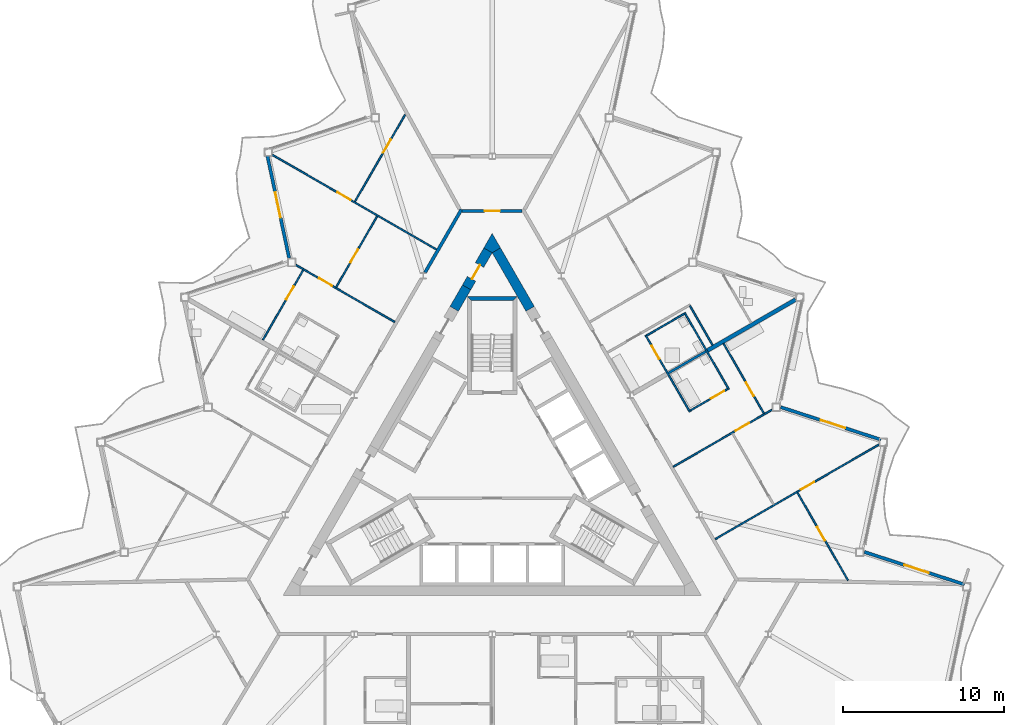
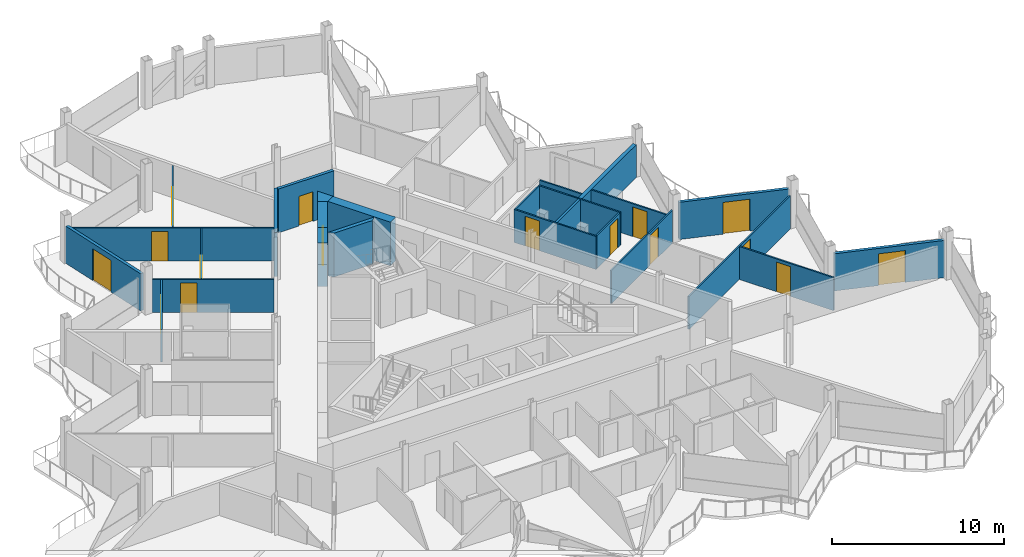
# One storey, part 16 of 25: 26 walls, 16 doors, 16 openings.
"""IFC4 building model written with IfcOpenShell, lengths in metres."""

from ifc_helpers import new_model, si_unit, direction, frame, frame_2d, origin, place, context, subcontext, project, spatial, polyline, rectangle, outline, extrude, material, layer, layer_set, type_object, element, fill, save


model = new_model("IFC4")

# Units and contexts
model_context = context("Model", 3, precision=1e-05, world=origin(), true_north=direction((0.0, 1.0)))
body_context = subcontext(model_context, "Body", "Model", "MODEL_VIEW")
ifc_project = project(units=[si_unit("LENGTHUNIT", "METRE"), si_unit("AREAUNIT", "SQUARE_METRE"), si_unit("VOLUMEUNIT", "CUBIC_METRE"), si_unit("PLANEANGLEUNIT", "RADIAN"), si_unit("MASSUNIT", "GRAM", prefix="KILO")], contexts=[model_context])

# Site, building, storey
site_placement = place(None, origin())
site = spatial("IfcSite", under=ifc_project, at=site_placement, CompositionType="ELEMENT")
building_placement = place(site_placement, origin())
building = spatial("IfcBuilding", under=site, at=building_placement, Name="Cormorant Prow Tower", CompositionType="ELEMENT")
storey_placement = place(building_placement, frame((0.0, 0.0, 391.60009765625)))
storey = spatial("IfcBuildingStorey", under=building, at=storey_placement, Name="L89", CompositionType="ELEMENT", Elevation=391.60009765625)

# Walls
ifc_material_1 = material(Name="Concrete 8000 psi", Category="concrete")
ifc_layer_1 = layer(ifc_material_1, 0.60009765625)
ifc_layer_set_1 = layer_set([ifc_layer_1], Name="Concrete 8000 psi")
wall_type_1 = type_object("IfcWallType", Name="Core shear wall 600", PredefinedType="SHEAR", material=ifc_layer_set_1)
wall_1_placement = place(storey_placement, frame((2.36083984375, 10.322021484375, 0.0), z_axis=(0.0, 0.0, 1.0), x_axis=(-0.500000735859, 0.866024978935, 0.0)))
element("IfcWall", 1, at=wall_1_placement, inside=storey, type_object=wall_type_1, Name="Core wall", PredefinedType="SHEAR", context=body_context, shape_type="SweptSolid", body=[
    extrude(rectangle(XDim=4.2021484375, YDim=0.60009765625, at=frame_2d((2.10107421875, 0.0))), origin(), (0.0, 0.0, 1.0), 3.099853515625),
])
wall_2_placement = place(storey_placement, frame((-1.589599609375, 11.65771484375, 0.0), z_axis=(0.0, 0.0, 1.0), x_axis=(-0.500037594623, -0.866003697431, 0.0)))
element("IfcWall", 2, at=wall_2_placement, inside=storey, type_object=wall_type_1, Name="Core wall", PredefinedType="SHEAR", context=body_context, shape_type="SweptSolid", body=[
    extrude(rectangle(XDim=1.54248046875, YDim=0.60009765625, at=frame_2d((0.771240234375, 0.0))), origin(), (0.0, 0.0, 1.0), 3.099853515625),
])
wall_3_placement = place(storey_placement, origin())
element("IfcWall", 3, at=wall_3_placement, inside=storey, type_object=wall_type_1, Name="Core wall corner", PredefinedType="SHEAR", context=body_context, shape_type="SweptSolid", body=[
    extrude(outline(polyline([(0.0, 13.81103515625), (-0.51953125, 14.111083984375), (0.0, 15.010986328125), (0.51953125, 14.111083984375), (0.0, 13.81103515625)])), origin(), (0.0, 0.0, 1.0), 3.099853515625),
])

# Wall, opening, door
wall_4_placement = place(storey_placement, frame((-0.259765625, 13.961181640625, 0.0), z_axis=(0.0, 0.0, 1.0), x_axis=(-0.49997936161, -0.866037319036, 0.0)))
wall_4 = element("IfcWall", 4, at=wall_4_placement, inside=storey, type_object=wall_type_1, Name="Core wall door panel", PredefinedType="SHEAR", context=body_context, shape_type="SweptSolid", body=[
    extrude(rectangle(XDim=2.65966796875, YDim=0.60009765625, at=frame_2d((1.329833984375, 0.0))), origin(), (0.0, 0.0, 1.0), 3.099853515625),
])
opening_1_placement = place(wall_4_placement, frame((1.050048828125, 0.0, 0.0)))
opening_1 = element("IfcOpeningElement", 5, at=opening_1_placement, cuts=wall_4, Name="Opening L89-C19", PredefinedType="OPENING", context=body_context, shape_type="SweptSolid", body=[
    extrude(rectangle(XDim=1.0, YDim=2.10009765625, at=frame_2d((0.5, 1.050048828125))), frame((0.0, 0.31005859375, 0.0), z_axis=(0.0, -1.0, 0.0), x_axis=(1.0, 0.0, 0.0)), (0.0, 0.0, 1.0), 0.6201171875),
])
ifc_material_2 = material(Name="Painted steel", Category="steel")
door_type_1 = type_object("IfcDoorType", Name="Service door 1000x2100", OperationType="NOTDEFINED", PredefinedType="DOOR", material=ifc_material_2)
door_1_placement = place(opening_1_placement, origin())
door_1 = element("IfcDoor", 6, at=door_1_placement, inside=storey, type_object=door_type_1, Name="Core door, Mechanical riser room", OperationType="SINGLE_SWING_RIGHT", OverallHeight=2.10009765625, OverallWidth=1.0, PredefinedType="DOOR", context=body_context, shape_type="SweptSolid", body=[
    extrude(rectangle(XDim=1.0, YDim=2.10009765625, at=frame_2d((0.5, 1.050048828125))), frame((0.0, 0.05517578125, 0.0), z_axis=(0.0, -1.0, 0.0), x_axis=(1.0, 0.0, 0.0)), (0.0, 0.0, 1.0), 0.050048828125),
])
fill(opening_1, door_1)

# Wall
ifc_material_3 = material(Name="Gypsum board corridor wall")
ifc_layer_2 = layer(ifc_material_3, 0.199951171875)
ifc_layer_set_2 = layer_set([ifc_layer_2], Name="Gypsum board corridor wall")
wall_type_2 = type_object("IfcWallType", Name="Corridor wall 200", PredefinedType="PARTITIONING", material=ifc_layer_set_2)
wall_5_placement = place(storey_placement, frame((-4.175537109375, 12.578857421875, 0.0), z_axis=(0.0, 0.0, 1.0), x_axis=(0.499974648164, 0.866040040179, 0.0)))
element("IfcWall", 7, at=wall_5_placement, inside=storey, type_object=wall_type_2, Name="Corridor wall", PredefinedType="PARTITIONING", context=body_context, shape_type="SweptSolid", body=[
    extrude(rectangle(XDim=4.525146484375, YDim=0.199951171875, at=frame_2d((2.2626953125, 0.0))), origin(), (0.0, 0.0, 1.0), 3.099853515625),
])

# Wall, opening, door
wall_6_placement = place(storey_placement, frame((-1.863037109375, 16.4111328125, 0.0), z_axis=(0.0, 0.0, 1.0), x_axis=(1.0, 0.0, 0.0)))
wall_6 = element("IfcWall", 8, at=wall_6_placement, inside=storey, type_object=wall_type_2, Name="Corridor wall", PredefinedType="PARTITIONING", context=body_context, shape_type="SweptSolid", body=[
    extrude(rectangle(XDim=3.72607421875, YDim=0.199951171875, at=frame_2d((1.863037109375, 0.0))), origin(), (0.0, 0.0, 1.0), 3.099853515625),
])
opening_2_placement = place(wall_6_placement, frame((1.387939453125, 0.0, 0.0)))
opening_2 = element("IfcOpeningElement", 9, at=opening_2_placement, cuts=wall_6, Name="Opening L89-F33", PredefinedType="OPENING", context=body_context, shape_type="SweptSolid", body=[
    extrude(rectangle(XDim=0.949951171875, YDim=2.10009765625, at=frame_2d((0.47509765625, 1.050048828125))), frame((0.0, 0.10986328125, 0.0), z_axis=(0.0, -1.0, 0.0), x_axis=(1.0, 0.0, 0.0)), (0.0, 0.0, 1.0), 0.219970703125),
])
ifc_material_4 = material(Name="Timber door leaf", Category="wood")
door_type_2 = type_object("IfcDoorType", Name="Store door 950x2100", OperationType="NOTDEFINED", PredefinedType="DOOR", material=ifc_material_4)
door_2_placement = place(opening_2_placement, origin())
door_2 = element("IfcDoor", 10, at=door_2_placement, inside=storey, type_object=door_type_2, Name="Bicycle store door", OperationType="SINGLE_SWING_LEFT", OverallHeight=2.10009765625, OverallWidth=0.949951171875, PredefinedType="DOOR", context=body_context, shape_type="SweptSolid", body=[
    extrude(rectangle(XDim=0.949951171875, YDim=2.10009765625, at=frame_2d((0.47509765625, 1.050048828125))), frame((0.0, 0.02490234375, 0.0), z_axis=(0.0, -1.0, 0.0), x_axis=(1.0, 0.0, 0.0)), (0.0, 0.0, 1.0), 0.050048828125),
])
fill(opening_2, door_2)

ifc_material_5 = material(Name="Gypsum board partition")
ifc_layer_3 = layer(ifc_material_5, 0.10009765625)
ifc_layer_set_3 = layer_set([ifc_layer_3], Name="Gypsum board partition")
wall_type_3 = type_object("IfcWallType", Name="Internal partition 100", PredefinedType="PARTITIONING", material=ifc_layer_set_3)
wall_7_placement = place(storey_placement, frame((-13.668701171875, 19.900390625, 0.0), z_axis=(0.0, 0.0, 1.0), x_axis=(0.866032376801, -0.499987922186, 0.0)))
wall_7 = element("IfcWall", 11, at=wall_7_placement, inside=storey, type_object=wall_type_3, Name="Internal partition", PredefinedType="PARTITIONING", context=body_context, shape_type="SweptSolid", body=[
    extrude(rectangle(XDim=11.781982421875, YDim=0.10009765625, at=frame_2d((5.89111328125, 0.0))), origin(), (0.0, 0.0, 1.0), 2.330078125),
])
opening_3_placement = place(wall_7_placement, frame((4.66357421875, 0.0, 0.0)))
opening_3 = element("IfcOpeningElement", 12, at=opening_3_placement, cuts=wall_7, Name="Opening L89-F40", PredefinedType="OPENING", context=body_context, shape_type="SweptSolid", body=[
    extrude(rectangle(XDim=0.949951171875, YDim=2.10009765625, at=frame_2d((0.47509765625, 1.050048828125))), frame((0.0, 0.06005859375, 0.0), z_axis=(0.0, -1.0, 0.0), x_axis=(1.0, 0.0, 0.0)), (0.0, 0.0, 1.0), 0.1201171875),
])
ifc_material_6 = material(Name="Timber door leaf", Category="wood")
door_type_3 = type_object("IfcDoorType", Name="Bathroom door 950x2100", OperationType="NOTDEFINED", PredefinedType="DOOR", material=ifc_material_6)
door_3_placement = place(opening_3_placement, origin())
door_3 = element("IfcDoor", 13, at=door_3_placement, inside=storey, type_object=door_type_3, Name="Bedroom door", OperationType="SINGLE_SWING_RIGHT", OverallHeight=2.10009765625, OverallWidth=0.949951171875, PredefinedType="DOOR", context=body_context, shape_type="SweptSolid", body=[
    extrude(rectangle(XDim=0.949951171875, YDim=2.10009765625, at=frame_2d((0.47509765625, 1.050048828125))), frame((0.0, 0.02490234375, 0.0), z_axis=(0.0, -1.0, 0.0), x_axis=(1.0, 0.0, 0.0)), (0.0, 0.0, 1.0), 0.050048828125),
])
fill(opening_3, door_3)

wall_8_placement = place(storey_placement, frame((13.864990234375, -4.00390625, 0.0), z_axis=(0.0, 0.0, 1.0), x_axis=(0.866023404247, 0.500003463284, 0.0)))
wall_8 = element("IfcWall", 14, at=wall_8_placement, inside=storey, type_object=wall_type_3, Name="Internal partition", PredefinedType="PARTITIONING", context=body_context, shape_type="SweptSolid", body=[
    extrude(rectangle(XDim=11.7822265625, YDim=0.10009765625, at=frame_2d((5.89111328125, 0.0))), origin(), (0.0, 0.0, 1.0), 2.330078125),
])
opening_4_placement = place(wall_8_placement, frame((6.16845703125, 0.0, 0.0)))
opening_4 = element("IfcOpeningElement", 15, at=opening_4_placement, cuts=wall_8, Name="Opening L89-F23", PredefinedType="OPENING", context=body_context, shape_type="SweptSolid", body=[
    extrude(rectangle(XDim=0.949951171875, YDim=2.10009765625, at=frame_2d((0.47509765625, 1.050048828125))), frame((0.0, 0.06005859375, 0.0), z_axis=(0.0, -1.0, 0.0), x_axis=(1.0, 0.0, 0.0)), (0.0, 0.0, 1.0), 0.1201171875),
])
door_4_placement = place(opening_4_placement, origin())
door_4 = element("IfcDoor", 16, at=door_4_placement, inside=storey, type_object=door_type_3, Name="Bedroom door", OperationType="SINGLE_SWING_LEFT", OverallHeight=2.10009765625, OverallWidth=0.949951171875, PredefinedType="DOOR", context=body_context, shape_type="SweptSolid", body=[
    extrude(rectangle(XDim=0.949951171875, YDim=2.10009765625, at=frame_2d((0.47509765625, 1.050048828125))), frame((0.0, 0.02490234375, 0.0), z_axis=(0.0, -1.0, 0.0), x_axis=(1.0, 0.0, 0.0)), (0.0, 0.0, 1.0), 0.050048828125),
])
fill(opening_4, door_4)

wall_9_placement = place(storey_placement, frame((-12.2138671875, 13.05615234375, 0.0), z_axis=(0.0, 0.0, 1.0), x_axis=(0.866018949465, -0.500011179042, 0.0)))
wall_9 = element("IfcWall", 17, at=wall_9_placement, inside=storey, type_object=wall_type_3, Name="Internal partition", PredefinedType="PARTITIONING", context=body_context, shape_type="SweptSolid", body=[
    extrude(rectangle(XDim=7.099853515625, YDim=0.10009765625, at=frame_2d((3.5498046875, 0.0))), origin(), (0.0, 0.0, 1.0), 2.330078125),
])
opening_5_placement = place(wall_9_placement, frame((1.66259765625, 0.0, 0.0)))
opening_5 = element("IfcOpeningElement", 18, at=opening_5_placement, cuts=wall_9, Name="Opening L89-F38", PredefinedType="OPENING", context=body_context, shape_type="SweptSolid", body=[
    extrude(rectangle(XDim=0.949951171875, YDim=2.10009765625, at=frame_2d((0.47509765625, 1.050048828125))), frame((0.0, 0.06005859375, 0.0), z_axis=(0.0, -1.0, 0.0), x_axis=(1.0, 0.0, 0.0)), (0.0, 0.0, 1.0), 0.1201171875),
])
door_5_placement = place(opening_5_placement, origin())
door_5 = element("IfcDoor", 19, at=door_5_placement, inside=storey, type_object=door_type_3, Name="Living room door", OperationType="SINGLE_SWING_RIGHT", OverallHeight=2.10009765625, OverallWidth=0.949951171875, PredefinedType="DOOR", context=body_context, shape_type="SweptSolid", body=[
    extrude(rectangle(XDim=0.949951171875, YDim=2.10009765625, at=frame_2d((0.47509765625, 1.050048828125))), frame((0.0, 0.02490234375, 0.0), z_axis=(0.0, -1.0, 0.0), x_axis=(1.0, 0.0, 0.0)), (0.0, 0.0, 1.0), 0.050048828125),
])
fill(opening_5, door_5)

wall_10_placement = place(storey_placement, frame((11.26513671875, 0.49951171875, 0.0), z_axis=(0.0, 0.0, 1.0), x_axis=(0.866033839264, 0.499985389037, 0.0)))
wall_10 = element("IfcWall", 20, at=wall_10_placement, inside=storey, type_object=wall_type_3, Name="Internal partition", PredefinedType="PARTITIONING", context=body_context, shape_type="SweptSolid", body=[
    extrude(rectangle(XDim=7.099853515625, YDim=0.10009765625, at=frame_2d((3.5498046875, 0.0))), origin(), (0.0, 0.0, 1.0), 2.330078125),
])
opening_6_placement = place(wall_10_placement, frame((4.487548828125, 0.0, 0.0)))
opening_6 = element("IfcOpeningElement", 21, at=opening_6_placement, cuts=wall_10, Name="Opening L89-F21", PredefinedType="OPENING", context=body_context, shape_type="SweptSolid", body=[
    extrude(rectangle(XDim=0.949951171875, YDim=2.10009765625, at=frame_2d((0.47509765625, 1.050048828125))), frame((0.0, 0.06005859375, 0.0), z_axis=(0.0, -1.0, 0.0), x_axis=(1.0, 0.0, 0.0)), (0.0, 0.0, 1.0), 0.1201171875),
])
door_6_placement = place(opening_6_placement, origin())
door_6 = element("IfcDoor", 22, at=door_6_placement, inside=storey, type_object=door_type_3, Name="Living room door", OperationType="SINGLE_SWING_LEFT", OverallHeight=2.10009765625, OverallWidth=0.949951171875, PredefinedType="DOOR", context=body_context, shape_type="SweptSolid", body=[
    extrude(rectangle(XDim=0.949951171875, YDim=2.10009765625, at=frame_2d((0.47509765625, 1.050048828125))), frame((0.0, 0.02490234375, 0.0), z_axis=(0.0, -1.0, 0.0), x_axis=(1.0, 0.0, 0.0)), (0.0, 0.0, 1.0), 0.050048828125),
])
fill(opening_6, door_6)

wall_11_placement = place(storey_placement, frame((18.9833984375, -1.106689453125, 0.0), z_axis=(0.0, 0.0, 1.0), x_axis=(0.500016298831, -0.866015993445, 0.0)))
wall_11 = element("IfcWall", 23, at=wall_11_placement, inside=storey, type_object=wall_type_3, Name="Internal partition", PredefinedType="PARTITIONING", context=body_context, shape_type="SweptSolid", body=[
    extrude(rectangle(XDim=6.304931640625, YDim=0.10009765625, at=frame_2d((3.15234375, 0.0))), origin(), (0.0, 0.0, 1.0), 2.330078125),
])
opening_7_placement = place(wall_11_placement, frame((2.475341796875, 0.0, 0.0)))
opening_7 = element("IfcOpeningElement", 24, at=opening_7_placement, cuts=wall_11, Name="Opening L89-F24", PredefinedType="OPENING", context=body_context, shape_type="SweptSolid", body=[
    extrude(rectangle(XDim=0.949951171875, YDim=2.10009765625, at=frame_2d((0.47509765625, 1.050048828125))), frame((0.0, 0.06005859375, 0.0), z_axis=(0.0, -1.0, 0.0), x_axis=(1.0, 0.0, 0.0)), (0.0, 0.0, 1.0), 0.1201171875),
])
door_7_placement = place(opening_7_placement, origin())
door_7 = element("IfcDoor", 25, at=door_7_placement, inside=storey, type_object=door_type_3, Name="Bedroom door", OperationType="SINGLE_SWING_LEFT", OverallHeight=2.10009765625, OverallWidth=0.949951171875, PredefinedType="DOOR", context=body_context, shape_type="SweptSolid", body=[
    extrude(rectangle(XDim=0.949951171875, YDim=2.10009765625, at=frame_2d((0.47509765625, 1.050048828125))), frame((0.0, 0.02490234375, 0.0), z_axis=(0.0, -1.0, 0.0), x_axis=(1.0, 0.0, 0.0)), (0.0, 0.0, 1.0), 0.050048828125),
])
fill(opening_7, door_7)

wall_12_placement = place(storey_placement, frame((-8.534912109375, 16.994384765625, 0.0), z_axis=(0.0, 0.0, 1.0), x_axis=(0.499975529996, 0.866039531087, 0.0)))
wall_12 = element("IfcWall", 26, at=wall_12_placement, inside=storey, type_object=wall_type_3, Name="Internal partition", PredefinedType="PARTITIONING", context=body_context, shape_type="SweptSolid", body=[
    extrude(rectangle(XDim=6.235107421875, YDim=0.10009765625, at=frame_2d((3.11767578125, 0.0))), origin(), (0.0, 0.0, 1.0), 2.330078125),
])
opening_8_placement = place(wall_12_placement, frame((3.508056640625, 0.0, 0.0)))
opening_8 = element("IfcOpeningElement", 27, at=opening_8_placement, cuts=wall_12, Name="Opening L89-F41", PredefinedType="OPENING", context=body_context, shape_type="SweptSolid", body=[
    extrude(rectangle(XDim=0.949951171875, YDim=2.10009765625, at=frame_2d((0.47509765625, 1.050048828125))), frame((0.0, 0.06005859375, 0.0), z_axis=(0.0, -1.0, 0.0), x_axis=(1.0, 0.0, 0.0)), (0.0, 0.0, 1.0), 0.1201171875),
])
door_8_placement = place(opening_8_placement, origin())
door_8 = element("IfcDoor", 28, at=door_8_placement, inside=storey, type_object=door_type_3, Name="Bedroom door", OperationType="SINGLE_SWING_RIGHT", OverallHeight=2.10009765625, OverallWidth=0.949951171875, PredefinedType="DOOR", context=body_context, shape_type="SweptSolid", body=[
    extrude(rectangle(XDim=0.949951171875, YDim=2.10009765625, at=frame_2d((0.47509765625, 1.050048828125))), frame((0.0, 0.02490234375, 0.0), z_axis=(0.0, -1.0, 0.0), x_axis=(1.0, 0.0, 0.0)), (0.0, 0.0, 1.0), 0.050048828125),
])
fill(opening_8, door_8)

# Wall
wall_13_placement = place(storey_placement, frame((11.966552734375, 10.084228515625, 0.0), z_axis=(0.0, 0.0, 1.0), x_axis=(0.500015767406, -0.866016300277, 0.0)))
element("IfcWall", 29, at=wall_13_placement, inside=storey, type_object=wall_type_3, Name="Internal partition", PredefinedType="PARTITIONING", context=body_context, shape_type="SweptSolid", body=[
    extrude(rectangle(XDim=5.499755859375, YDim=0.10009765625, at=frame_2d((2.75, 0.0))), origin(), (0.0, 0.0, 1.0), 2.330078125),
])

# Wall, opening, door
wall_14_placement = place(storey_placement, frame((9.541748046875, 8.684326171875, 0.0), z_axis=(0.0, 0.0, 1.0), x_axis=(0.499996545922, -0.866027397988, 0.0)))
wall_14 = element("IfcWall", 30, at=wall_14_placement, inside=storey, type_object=wall_type_3, Name="Internal partition", PredefinedType="PARTITIONING", context=body_context, shape_type="SweptSolid", body=[
    extrude(rectangle(XDim=5.5, YDim=0.10009765625, at=frame_2d((2.75, 0.0))), origin(), (0.0, 0.0, 1.0), 2.330078125),
])
opening_9_placement = place(wall_14_placement, frame((0.75634765625, 0.0, 0.0)))
opening_9 = element("IfcOpeningElement", 31, at=opening_9_placement, cuts=wall_14, Name="Opening L89-F32", PredefinedType="OPENING", context=body_context, shape_type="SweptSolid", body=[
    extrude(rectangle(XDim=0.949951171875, YDim=2.10009765625, at=frame_2d((0.47509765625, 1.050048828125))), frame((0.0, 0.06005859375, 0.0), z_axis=(0.0, -1.0, 0.0), x_axis=(1.0, 0.0, 0.0)), (0.0, 0.0, 1.0), 0.1201171875),
])
door_9_placement = place(opening_9_placement, origin())
door_9 = element("IfcDoor", 32, at=door_9_placement, inside=storey, type_object=door_type_3, Name="Kitchen door", OperationType="SINGLE_SWING_LEFT", OverallHeight=2.10009765625, OverallWidth=0.949951171875, PredefinedType="DOOR", context=body_context, shape_type="SweptSolid", body=[
    extrude(rectangle(XDim=0.949951171875, YDim=2.10009765625, at=frame_2d((0.47509765625, 1.050048828125))), frame((0.0, 0.02490234375, 0.0), z_axis=(0.0, -1.0, 0.0), x_axis=(1.0, 0.0, 0.0)), (0.0, 0.0, 1.0), 0.050048828125),
])
fill(opening_9, door_9)

wall_15_placement = place(storey_placement, frame((14.390380859375, 8.163818359375, 0.0), z_axis=(0.0, 0.0, 1.0), x_axis=(0.499990214365, -0.86603105345, 0.0)))
wall_15 = element("IfcWall", 33, at=wall_15_placement, inside=storey, type_object=wall_type_3, Name="Internal partition", PredefinedType="PARTITIONING", context=body_context, shape_type="SweptSolid", body=[
    extrude(rectangle(XDim=5.02490234375, YDim=0.10009765625, at=frame_2d((2.512451171875, 0.0))), origin(), (0.0, 0.0, 1.0), 2.330078125),
])
opening_10_placement = place(wall_15_placement, frame((2.803466796875, 0.0, 0.0)))
opening_10 = element("IfcOpeningElement", 34, at=opening_10_placement, cuts=wall_15, Name="Opening L89-F20", PredefinedType="OPENING", context=body_context, shape_type="SweptSolid", body=[
    extrude(rectangle(XDim=0.949951171875, YDim=2.10009765625, at=frame_2d((0.47509765625, 1.050048828125))), frame((0.0, 0.06005859375, 0.0), z_axis=(0.0, -1.0, 0.0), x_axis=(1.0, 0.0, 0.0)), (0.0, 0.0, 1.0), 0.1201171875),
])
door_10_placement = place(opening_10_placement, origin())
door_10 = element("IfcDoor", 35, at=door_10_placement, inside=storey, type_object=door_type_3, Name="Living room door", OperationType="SINGLE_SWING_RIGHT", OverallHeight=2.10009765625, OverallWidth=0.949951171875, PredefinedType="DOOR", context=body_context, shape_type="SweptSolid", body=[
    extrude(rectangle(XDim=0.949951171875, YDim=2.10009765625, at=frame_2d((0.47509765625, 1.050048828125))), frame((0.0, 0.02490234375, 0.0), z_axis=(0.0, -1.0, 0.0), x_axis=(1.0, 0.0, 0.0)), (0.0, 0.0, 1.0), 0.050048828125),
])
fill(opening_10, door_10)

wall_16_placement = place(storey_placement, frame((-9.704345703125, 11.664794921875, 0.0), z_axis=(0.0, 0.0, 1.0), x_axis=(0.499984882974, 0.866034131428, 0.0)))
wall_16 = element("IfcWall", 36, at=wall_16_placement, inside=storey, type_object=wall_type_3, Name="Internal partition", PredefinedType="PARTITIONING", context=body_context, shape_type="SweptSolid", body=[
    extrude(rectangle(XDim=5.100341796875, YDim=0.10009765625, at=frame_2d((2.55029296875, 0.0))), origin(), (0.0, 0.0, 1.0), 2.330078125),
])
opening_11_placement = place(wall_16_placement, frame((1.770751953125, 0.0, 0.0)))
opening_11 = element("IfcOpeningElement", 37, at=opening_11_placement, cuts=wall_16, Name="Opening L89-F39", PredefinedType="OPENING", context=body_context, shape_type="SweptSolid", body=[
    extrude(rectangle(XDim=0.949951171875, YDim=2.10009765625, at=frame_2d((0.47509765625, 1.050048828125))), frame((0.0, 0.06005859375, 0.0), z_axis=(0.0, -1.0, 0.0), x_axis=(1.0, 0.0, 0.0)), (0.0, 0.0, 1.0), 0.1201171875),
])
door_11_placement = place(opening_11_placement, origin())
door_11 = element("IfcDoor", 38, at=door_11_placement, inside=storey, type_object=door_type_3, Name="Bedroom door", OperationType="SINGLE_SWING_LEFT", OverallHeight=2.10009765625, OverallWidth=0.949951171875, PredefinedType="DOOR", context=body_context, shape_type="SweptSolid", body=[
    extrude(rectangle(XDim=0.949951171875, YDim=2.10009765625, at=frame_2d((0.47509765625, 1.050048828125))), frame((0.0, 0.02490234375, 0.0), z_axis=(0.0, -1.0, 0.0), x_axis=(1.0, 0.0, 0.0)), (0.0, 0.0, 1.0), 0.050048828125),
])
fill(opening_11, door_11)

wall_17_placement = place(storey_placement, frame((-14.265380859375, 8.38037109375, 0.0), z_axis=(0.0, 0.0, 1.0), x_axis=(0.500026652407, 0.866010015463, 0.0)))
wall_17 = element("IfcWall", 39, at=wall_17_placement, inside=storey, type_object=wall_type_3, Name="Internal partition", PredefinedType="PARTITIONING", context=body_context, shape_type="SweptSolid", body=[
    extrude(rectangle(XDim=5.025146484375, YDim=0.10009765625, at=frame_2d((2.5126953125, 0.0))), origin(), (0.0, 0.0, 1.0), 2.330078125),
])
opening_12_placement = place(wall_17_placement, frame((2.90576171875, 0.0, 0.0)))
opening_12 = element("IfcOpeningElement", 40, at=opening_12_placement, cuts=wall_17, Name="Opening L89-F37", PredefinedType="OPENING", context=body_context, shape_type="SweptSolid", body=[
    extrude(rectangle(XDim=0.949951171875, YDim=2.10009765625, at=frame_2d((0.47509765625, 1.050048828125))), frame((0.0, 0.06005859375, 0.0), z_axis=(0.0, -1.0, 0.0), x_axis=(1.0, 0.0, 0.0)), (0.0, 0.0, 1.0), 0.1201171875),
])
door_12_placement = place(opening_12_placement, origin())
door_12 = element("IfcDoor", 41, at=door_12_placement, inside=storey, type_object=door_type_3, Name="Living room door", OperationType="SINGLE_SWING_RIGHT", OverallHeight=2.10009765625, OverallWidth=0.949951171875, PredefinedType="DOOR", context=body_context, shape_type="SweptSolid", body=[
    extrude(rectangle(XDim=0.949951171875, YDim=2.10009765625, at=frame_2d((0.47509765625, 1.050048828125))), frame((0.0, 0.02490234375, 0.0), z_axis=(0.0, -1.0, 0.0), x_axis=(1.0, 0.0, 0.0)), (0.0, 0.0, 1.0), 0.050048828125),
])
fill(opening_12, door_12)

# Walls
wall_18_placement = place(storey_placement, frame((12.299560546875, 10.507568359375, 0.0), z_axis=(0.0, 0.0, 1.0), x_axis=(0.500024172624, -0.866011447264, 0.0)))
element("IfcWall", 42, at=wall_18_placement, inside=storey, type_object=wall_type_3, Name="Internal partition", PredefinedType="PARTITIONING", context=body_context, shape_type="SweptSolid", body=[
    extrude(rectangle(XDim=2.824951171875, YDim=0.10009765625, at=frame_2d((1.41259765625, 0.0))), origin(), (0.0, 0.0, 1.0), 2.330078125),
])
wall_19_placement = place(storey_placement, frame((9.610107421875, 8.666015625, 0.0), z_axis=(0.0, 0.0, 1.0), x_axis=(0.86599734893, 0.500048589285, 0.0)))
element("IfcWall", 43, at=wall_19_placement, inside=storey, type_object=wall_type_3, Name="Internal partition", PredefinedType="PARTITIONING", context=body_context, shape_type="SweptSolid", body=[
    extrude(rectangle(XDim=2.699951171875, YDim=0.10009765625, at=frame_2d((1.35009765625, 0.0))), origin(), (0.0, 0.0, 1.0), 2.330078125),
])

# Wall, opening, door
wall_20_placement = place(storey_placement, frame((12.31005859375, 3.989501953125, 0.0), z_axis=(0.0, 0.0, 1.0), x_axis=(0.86599734893, 0.500048589285, 0.0)))
wall_20 = element("IfcWall", 44, at=wall_20_placement, inside=storey, type_object=wall_type_3, Name="Internal partition", PredefinedType="PARTITIONING", context=body_context, shape_type="SweptSolid", body=[
    extrude(rectangle(XDim=2.699951171875, YDim=0.10009765625, at=frame_2d((1.35009765625, 0.0))), origin(), (0.0, 0.0, 1.0), 2.330078125),
])
opening_13_placement = place(wall_20_placement, frame((1.5, 0.0, 0.0)))
opening_13 = element("IfcOpeningElement", 45, at=opening_13_placement, cuts=wall_20, Name="Opening L89-F19", PredefinedType="OPENING", context=body_context, shape_type="SweptSolid", body=[
    extrude(rectangle(XDim=0.949951171875, YDim=2.10009765625, at=frame_2d((0.47509765625, 1.050048828125))), frame((0.0, 0.06005859375, 0.0), z_axis=(0.0, -1.0, 0.0), x_axis=(1.0, 0.0, 0.0)), (0.0, 0.0, 1.0), 0.1201171875),
])
door_13_placement = place(opening_13_placement, origin())
door_13 = element("IfcDoor", 46, at=door_13_placement, inside=storey, type_object=door_type_3, Name="Living room door", OperationType="SINGLE_SWING_RIGHT", OverallHeight=2.10009765625, OverallWidth=0.949951171875, PredefinedType="DOOR", context=body_context, shape_type="SweptSolid", body=[
    extrude(rectangle(XDim=0.949951171875, YDim=2.10009765625, at=frame_2d((0.47509765625, 1.050048828125))), frame((0.0, 0.02490234375, 0.0), z_axis=(0.0, -1.0, 0.0), x_axis=(1.0, 0.0, 0.0)), (0.0, 0.0, 1.0), 0.050048828125),
])
fill(opening_13, door_13)

# Walls
ifc_material_7 = material(Name="Concrete 8000 psi", Category="concrete")
ifc_layer_4 = layer(ifc_material_7, 0.25)
ifc_layer_set_4 = layer_set([ifc_layer_4], Name="Concrete 8000 psi")
wall_type_4 = type_object("IfcWallType", Name="Stair wall 250", PredefinedType="SHEAR", material=ifc_layer_set_4)
wall_21_placement = place(storey_placement, origin())
element("IfcWall", 47, at=wall_21_placement, inside=storey, type_object=wall_type_4, Name="Stair ST3 enclosure wall (end)", PredefinedType="SHEAR", context=body_context, shape_type="SweptSolid", body=[
    extrude(outline(polyline([(1.5439453125, 11.0869140625), (-1.5439453125, 11.0869140625), (-1.2939453125, 10.8369140625), (1.2939453125, 10.8369140625), (1.5439453125, 11.0869140625)])), origin(), (0.0, 0.0, 1.0), 3.099853515625),
])
ifc_material_8 = material(Name="Acoustic gypsum party wall")
ifc_layer_5 = layer(ifc_material_8, 0.25)
ifc_layer_set_5 = layer_set([ifc_layer_5], Name="Acoustic gypsum party wall")
wall_type_5 = type_object("IfcWallType", Name="Suite party wall 250", PredefinedType="PARTITIONING", material=ifc_layer_set_5)
wall_22_placement = place(storey_placement, frame((13.385009765625, 7.727783203125, 0.0), z_axis=(0.0, 0.0, 1.0), x_axis=(0.866023139795, 0.500003921324, 0.0)))
element("IfcWall", 48, at=wall_22_placement, inside=storey, type_object=wall_type_5, Name="Suite party wall", PredefinedType="PARTITIONING", context=body_context, shape_type="SweptSolid", body=[
    extrude(rectangle(XDim=6.33203125, YDim=0.25, at=frame_2d((3.166015625, 0.0))), origin(), (0.0, 0.0, 1.0), 2.330078125),
])

# Wall, opening, door
ifc_material_9 = material(Name="Terracotta", Category="masonry")
ifc_layer_6 = layer(ifc_material_9, 0.199951171875)
ifc_layer_set_6 = layer_set([ifc_layer_6], Name="Terracotta")
wall_type_6 = type_object("IfcWallType", Name="Terracotta jamb wall 200", PredefinedType="SOLIDWALL", material=ifc_layer_set_6)
wall_23_placement = place(storey_placement, frame((29.3740234375, -6.82177734375, 0.0), z_axis=(0.0, 0.0, 1.0), x_axis=(-0.951061473407, 0.309001737536, 0.0)))
wall_23 = element("IfcWall", 49, at=wall_23_placement, inside=storey, type_object=wall_type_6, Name="Terracotta jamb wall ENE01", PredefinedType="SOLIDWALL", context=body_context, shape_type="SweptSolid", body=[
    extrude(rectangle(XDim=6.5458984375, YDim=0.199951171875, at=frame_2d((3.27294921875, 0.0))), origin(), (0.0, 0.0, 1.0), 2.6337890625),
])
opening_14_placement = place(wall_23_placement, frame((2.332763671875, 0.0, 0.0)))
opening_14 = element("IfcOpeningElement", 50, at=opening_14_placement, cuts=wall_23, Name="Opening ED89.06", PredefinedType="OPENING", context=body_context, shape_type="SweptSolid", body=[
    extrude(rectangle(XDim=1.60009765625, YDim=2.25, at=frame_2d((0.800048828125, 1.125))), frame((0.0, 0.10986328125, 0.0), z_axis=(0.0, -1.0, 0.0), x_axis=(1.0, 0.0, 0.0)), (0.0, 0.0, 1.0), 0.219970703125),
])
ifc_material_10 = material(Name="Aluminium 6063-T6", Category="aluminium")
door_type_4 = type_object("IfcDoorType", Name="Balcony door 1600x2250", OperationType="DOUBLE_DOOR_SINGLE_SWING", PredefinedType="DOOR", material=ifc_material_10)
door_14_placement = place(opening_14_placement, origin())
door_14 = element("IfcDoor", 51, at=door_14_placement, inside=storey, type_object=door_type_4, Name="Balcony door ENE01 ED89.06", OperationType="DOUBLE_DOOR_SINGLE_SWING", OverallHeight=2.25, OverallWidth=1.60009765625, PredefinedType="DOOR", context=body_context, shape_type="SweptSolid", body=[
    extrude(rectangle(XDim=1.60009765625, YDim=2.25, at=frame_2d((0.800048828125, 1.125))), frame((0.0, 0.02490234375, 0.0), z_axis=(0.0, -1.0, 0.0), x_axis=(1.0, 0.0, 0.0)), (0.0, 0.0, 1.0), 0.050048828125),
])
fill(opening_14, door_14)

wall_24_placement = place(storey_placement, frame((24.174072265625, 2.184814453125, 0.0), z_axis=(0.0, 0.0, 1.0), x_axis=(-0.951061473407, 0.309001737536, 0.0)))
wall_24 = element("IfcWall", 52, at=wall_24_placement, inside=storey, type_object=wall_type_6, Name="Terracotta jamb wall ENE03", PredefinedType="SOLIDWALL", context=body_context, shape_type="SweptSolid", body=[
    extrude(rectangle(XDim=6.5458984375, YDim=0.199951171875, at=frame_2d((3.27294921875, 0.0))), origin(), (0.0, 0.0, 1.0), 2.6337890625),
])
opening_15_placement = place(wall_24_placement, frame((2.332763671875, 0.0, 0.0)))
opening_15 = element("IfcOpeningElement", 53, at=opening_15_placement, cuts=wall_24, Name="Opening ED89.07", PredefinedType="OPENING", context=body_context, shape_type="SweptSolid", body=[
    extrude(rectangle(XDim=1.60009765625, YDim=2.25, at=frame_2d((0.800048828125, 1.125))), frame((0.0, 0.10986328125, 0.0), z_axis=(0.0, -1.0, 0.0), x_axis=(1.0, 0.0, 0.0)), (0.0, 0.0, 1.0), 0.219970703125),
])
door_15_placement = place(opening_15_placement, origin())
door_15 = element("IfcDoor", 54, at=door_15_placement, inside=storey, type_object=door_type_4, Name="Balcony door ENE03 ED89.07", OperationType="DOUBLE_DOOR_SINGLE_SWING", OverallHeight=2.25, OverallWidth=1.60009765625, PredefinedType="DOOR", context=body_context, shape_type="SweptSolid", body=[
    extrude(rectangle(XDim=1.60009765625, YDim=2.25, at=frame_2d((0.800048828125, 1.125))), frame((0.0, 0.02490234375, 0.0), z_axis=(0.0, -1.0, 0.0), x_axis=(1.0, 0.0, 0.0)), (0.0, 0.0, 1.0), 0.050048828125),
])
fill(opening_15, door_15)

wall_25_placement = place(storey_placement, frame((-13.97900390625, 19.843017578125, 0.0), z_axis=(0.0, 0.0, 1.0), x_axis=(0.207910765171, -0.978147797486, 0.0)))
wall_25 = element("IfcWall", 55, at=wall_25_placement, inside=storey, type_object=wall_type_6, Name="Terracotta jamb wall WNW03", PredefinedType="SOLIDWALL", context=body_context, shape_type="SweptSolid", body=[
    extrude(rectangle(XDim=6.512451171875, YDim=0.199951171875, at=frame_2d((3.25634765625, 0.0))), origin(), (0.0, 0.0, 1.0), 2.6337890625),
])
opening_16_placement = place(wall_25_placement, frame((2.332763671875, 0.0, 0.0)))
opening_16 = element("IfcOpeningElement", 56, at=opening_16_placement, cuts=wall_25, Name="Opening ED89.12", PredefinedType="OPENING", context=body_context, shape_type="SweptSolid", body=[
    extrude(rectangle(XDim=1.60009765625, YDim=2.25, at=frame_2d((0.800048828125, 1.125))), frame((0.0, 0.10986328125, 0.0), z_axis=(0.0, -1.0, 0.0), x_axis=(1.0, 0.0, 0.0)), (0.0, 0.0, 1.0), 0.219970703125),
])
door_16_placement = place(opening_16_placement, origin())
door_16 = element("IfcDoor", 57, at=door_16_placement, inside=storey, type_object=door_type_4, Name="Balcony door WNW03 ED89.12", OperationType="DOUBLE_DOOR_SINGLE_SWING", OverallHeight=2.25, OverallWidth=1.60009765625, PredefinedType="DOOR", context=body_context, shape_type="SweptSolid", body=[
    extrude(rectangle(XDim=1.60009765625, YDim=2.25, at=frame_2d((0.800048828125, 1.125))), frame((0.0, 0.02490234375, 0.0), z_axis=(0.0, -1.0, 0.0), x_axis=(1.0, 0.0, 0.0)), (0.0, 0.0, 1.0), 0.050048828125),
])
fill(opening_16, door_16)

# Wall
ifc_material_11 = material(Name="Plasterboard wet wall with pipe chase")
ifc_layer_7 = layer(ifc_material_11, 0.14990234375)
ifc_layer_set_7 = layer_set([ifc_layer_7], Name="Plasterboard wet wall with pipe chase")
wall_type_7 = type_object("IfcWallType", Name="Wet wall 150", PredefinedType="PLUMBINGWALL", material=ifc_layer_set_7)
wall_26_placement = place(storey_placement, frame((10.9599609375, 6.327880859375, 0.0), z_axis=(0.0, 0.0, 1.0), x_axis=(0.866059108428, 0.4999416173, 0.0)))
element("IfcWall", 58, at=wall_26_placement, inside=storey, type_object=wall_type_7, Name="Wet wall", PredefinedType="PLUMBINGWALL", context=body_context, shape_type="SweptSolid", body=[
    extrude(rectangle(XDim=2.699951171875, YDim=0.14990234375, at=frame_2d((1.35009765625, 0.0))), origin(), (0.0, 0.0, 1.0), 2.330078125),
])

save(model, "model.ifc")
